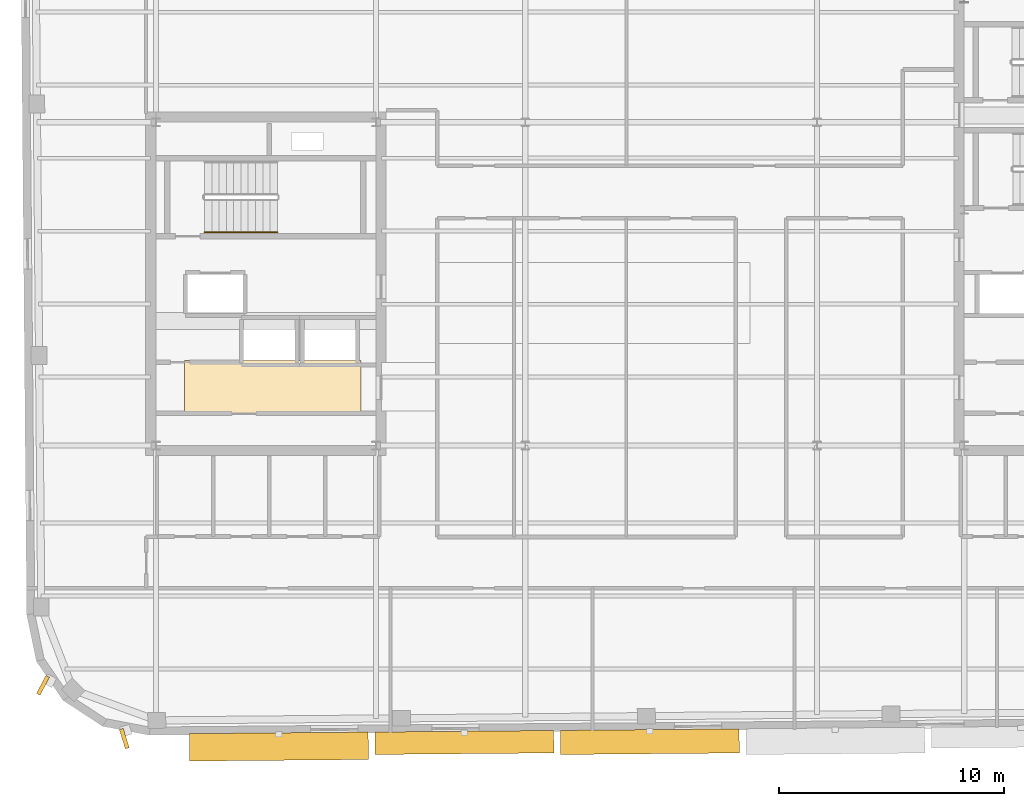
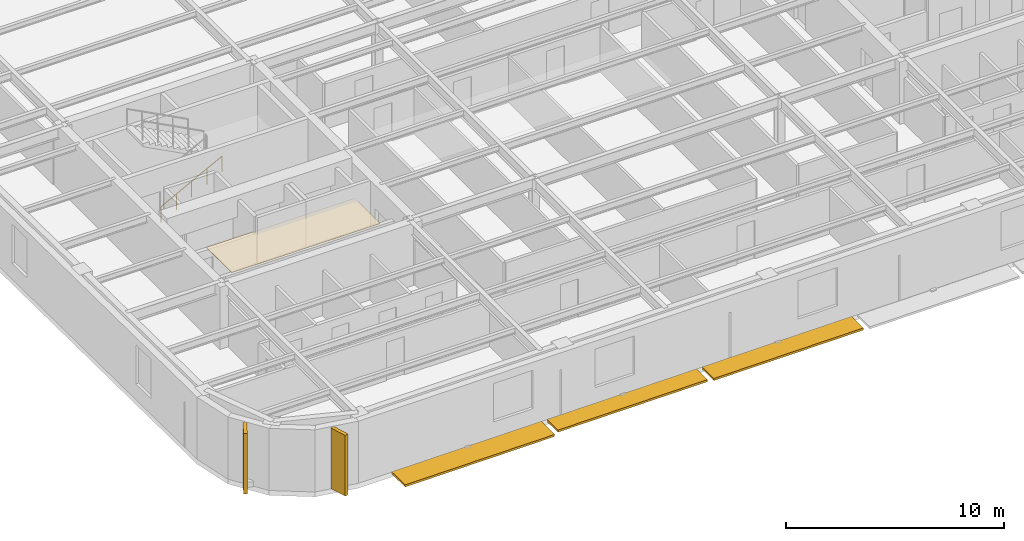
# One storey, part 11 of 15: 5 shading devices, 1 covering, 1 railing.
"""IFC4 building model written with IfcOpenShell, lengths in metres."""

from ifc_helpers import new_model, si_unit, direction, frame, origin, origin_2d, place, context, subcontext, project, spatial, polyline, rectangle, circle, outline, extrude, material, layer, layer_set, type_object, element, save


model = new_model("IFC4")

# Units and contexts
model_context = context("Model", 3, precision=1e-05, world=origin(), true_north=direction((0.0, 1.0)))
body_context = subcontext(model_context, "Body", "Model", "MODEL_VIEW")
ifc_project = project(units=[si_unit("LENGTHUNIT", "METRE"), si_unit("AREAUNIT", "SQUARE_METRE"), si_unit("VOLUMEUNIT", "CUBIC_METRE"), si_unit("PLANEANGLEUNIT", "RADIAN"), si_unit("MASSUNIT", "GRAM", prefix="KILO")], contexts=[model_context])

# Site, building, storey
site_placement = place(None, origin())
site = spatial("IfcSite", under=ifc_project, at=site_placement, CompositionType="ELEMENT")
building_placement = place(site_placement, origin())
building = spatial("IfcBuilding", under=site, at=building_placement, Name="Kolvaren Arena Tower", CompositionType="ELEMENT")
storey_placement = place(building_placement, frame((0.0, 0.0, 282.39990234375)))
storey = spatial("IfcBuildingStorey", under=building, at=storey_placement, Name="L69", CompositionType="ELEMENT", Elevation=282.39990234375)

# Covering
ifc_material_1 = material(Name="Moisture-resistant gypsum ceiling", Category="gypsum")
ifc_layer = layer(ifc_material_1, 0.030029296875)
ifc_layer_set = layer_set([ifc_layer], Name="Moisture-resistant gypsum ceiling")
covering_type = type_object("IfcCoveringType", Name="CEIL-GYP-1", PredefinedType="CEILING", material=ifc_layer_set)
covering_placement = place(storey_placement, frame((0.0, 0.0, 2.52001953125)))
element("IfcCovering", 1, at=covering_placement, inside=storey, type_object=covering_type, Name="Suspended Ceiling (L69)", PredefinedType="CEILING", context=body_context, shape_type="SweptSolid", body=[
    extrude(outline(polyline([(15.820068359375, 20.89990234375), (15.820068359375, 23.239990234375), (23.679931640625, 23.239990234375), (23.679931640625, 20.89990234375), (15.820068359375, 20.89990234375)])), origin(), (0.0, 0.0, 1.0), 0.030029296875),
])

# Railing
ifc_material_2 = material(Name="Brushed stainless steel handrail", Category="steel")
railing_type = type_object("IfcRailingType", Name="HRAIL-900", PredefinedType="HANDRAIL", material=ifc_material_2)
railing_placement = place(storey_placement, frame((16.719970703125, 28.949951171875, 0.170654296875)))
element("IfcRailing", 2, at=railing_placement, inside=storey, type_object=railing_type, Name="L69 ST-W1 stair handrail 1", PredefinedType="HANDRAIL", context=body_context, shape_type="SweptSolid", body=[
    extrude(circle(Radius=0.02392578125, at=origin_2d()), frame((0.0, 0.0, 0.8759765625), z_axis=(0.885020909582, 0.0, 0.465551274945), x_axis=(0.0, 1.0, 0.0)), (0.0, 0.0, 1.0), 3.660888671875),
    extrude(circle(Radius=0.02099609375, at=origin_2d()), origin(), (0.0, 0.0, 1.0), 0.851806640625),
    extrude(circle(Radius=0.02099609375, at=origin_2d()), frame((0.81005859375, 0.0, 0.426025390625)), (0.0, 0.0, 1.0), 0.851806640625),
    extrude(circle(Radius=0.02099609375, at=origin_2d()), frame((1.6201171875, 0.0, 0.85205078125)), (0.0, 0.0, 1.0), 0.851806640625),
    extrude(circle(Radius=0.02099609375, at=origin_2d()), frame((2.429931640625, 0.0, 1.2783203125)), (0.0, 0.0, 1.0), 0.851806640625),
    extrude(circle(Radius=0.02099609375, at=origin_2d()), frame((3.239990234375, 0.0, 1.704345703125)), (0.0, 0.0, 1.0), 0.851806640625),
])

# Shading devices
ifc_material_3 = material(Name="Precast architectural concrete C50/60 rib fin", Category="concrete")
shading_device_type_1 = type_object("IfcShadingDeviceType", Name="SHAD-FIN-28", PredefinedType="USERDEFINED", material=ifc_material_3)
for number, where, z_axis, x_axis, name in (
    (3, (9.525146484375, 8.77392578125, 0.020263671875), (0.0, 0.0, 1.0), (-0.465619154103, -0.884985199499, 0.0), "Precast 28-Deg Corner Rib Fin (L69)"),
    (4, (13.1455078125, 6.400390625, 0.020263671875), (0.0, 0.0, 1.0), (0.296541574976, -0.955019944457, 0.0), "Precast 28-Deg Corner Rib Fin (L69)"),
):
    element("IfcShadingDevice", number, at=place(storey_placement, frame(where, z_axis=z_axis, x_axis=x_axis)), inside=storey, type_object=shading_device_type_1, Name=name, ObjectType="FIN", PredefinedType="USERDEFINED", context=body_context, shape_type="SweptSolid", body=[
        extrude(rectangle(XDim=0.89990234375, YDim=0.179931640625, at=origin_2d()), origin(), (0.0, 0.0, 1.0), 3.39990234375),
    ])
ifc_material_4 = material(Name="Architectural precast GFRC and anodised aluminium sunshade", Category="concrete")
shading_device_type_2 = type_object("IfcShadingDeviceType", Name="SHAD-SINE-A", PredefinedType="USERDEFINED", material=ifc_material_4)
shading_device_1_placement = place(storey_placement, frame((36.551025390625, 6.2646484375, -0.139892578125), z_axis=(0.0, 0.0, 1.0), x_axis=(-0.999961923064, -0.008726535498, 0.0)))
element("IfcShadingDevice", 5, at=shading_device_1_placement, inside=storey, type_object=shading_device_type_2, Name="Sinusoidal Slab-Edge Sunshade Louvre (L69)", ObjectType="LOUVRE", PredefinedType="USERDEFINED", context=body_context, shape_type="SweptSolid", body=[
    extrude(rectangle(XDim=7.9599609375, YDim=1.074951171875, at=origin_2d()), origin(), (0.0, 0.0, 1.0), 0.1201171875),
])
shading_device_2_placement = place(storey_placement, frame((28.291015625, 6.2294921875, -0.139892578125), z_axis=(0.0, 0.0, 1.0), x_axis=(-0.999961923064, -0.008726535498, 0.0)))
element("IfcShadingDevice", 6, at=shading_device_2_placement, inside=storey, type_object=shading_device_type_2, Name="Sinusoidal Slab-Edge Sunshade Louvre (L69)", ObjectType="LOUVRE", PredefinedType="USERDEFINED", context=body_context, shape_type="SweptSolid", body=[
    extrude(rectangle(XDim=7.9599609375, YDim=1.001220703125, at=origin_2d()), origin(), (0.0, 0.0, 1.0), 0.1201171875),
])
shading_device_3_placement = place(storey_placement, frame((20.0322265625, 6.047119140625, -0.139892578125), z_axis=(0.0, 0.0, 1.0), x_axis=(-0.999961923064, -0.008726535498, 0.0)))
element("IfcShadingDevice", 7, at=shading_device_3_placement, inside=storey, type_object=shading_device_type_2, Name="Sinusoidal Slab-Edge Sunshade Louvre (L69)", ObjectType="LOUVRE", PredefinedType="USERDEFINED", context=body_context, shape_type="SweptSolid", body=[
    extrude(rectangle(XDim=7.9599609375, YDim=1.221923828125, at=origin_2d()), origin(), (0.0, 0.0, 1.0), 0.1201171875),
])

save(model, "model.ifc")
